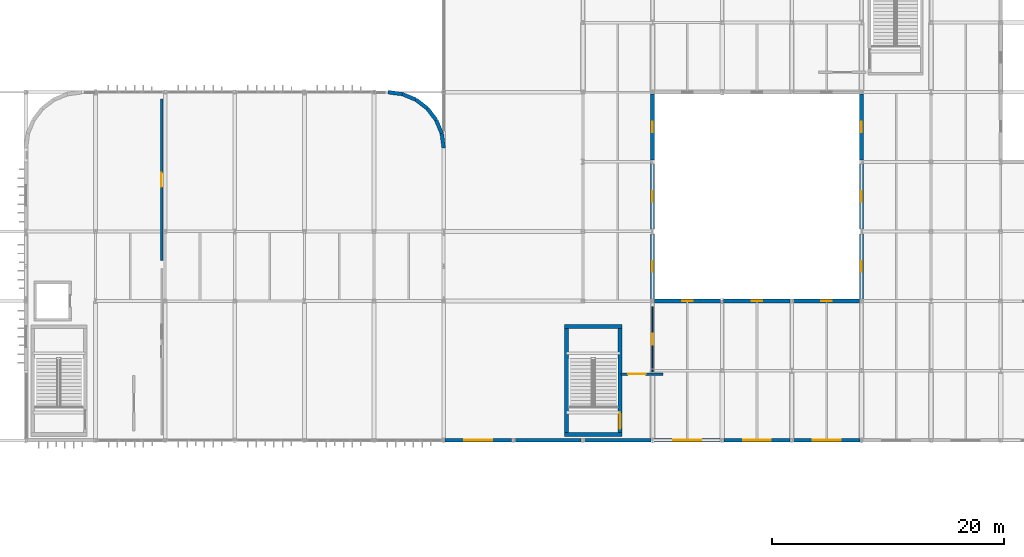
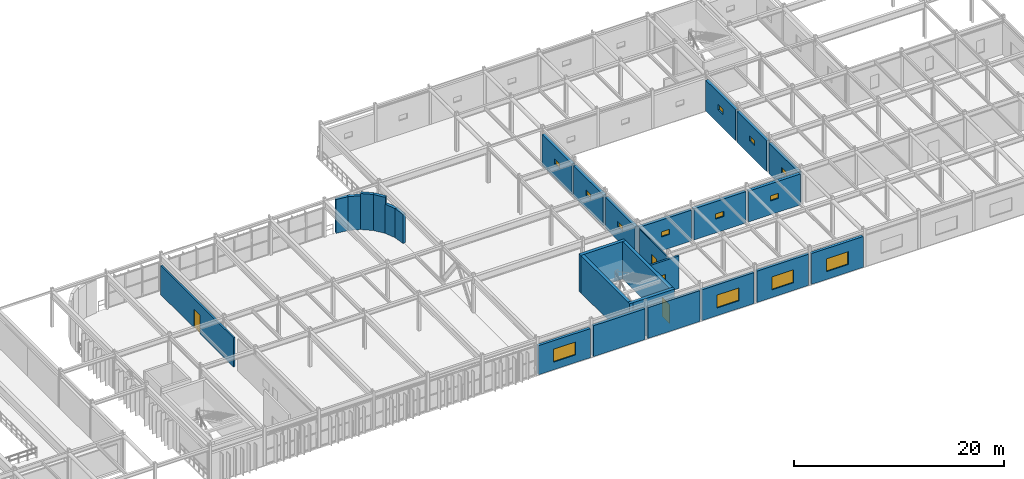
# One storey, part 68 of 96: 28 walls, 13 windows, 4 doors, 17 openings.
"""IFC4 building model written with IfcOpenShell, lengths in metres."""

from ifc_helpers import new_model, si_unit, direction, frame, frame_2d, origin, place, context, subcontext, project, spatial, rectangle, extrude, material, layer, layer_set, type_object, element, fill, save


model = new_model("IFC4")

# Units and contexts
model_context = context("Model", 3, precision=1e-05, world=origin(), true_north=direction((0.0, 1.0)))
body_context = subcontext(model_context, "Body", "Model", "MODEL_VIEW")
ifc_project = project(units=[si_unit("LENGTHUNIT", "METRE"), si_unit("AREAUNIT", "SQUARE_METRE"), si_unit("VOLUMEUNIT", "CUBIC_METRE"), si_unit("PLANEANGLEUNIT", "RADIAN"), si_unit("MASSUNIT", "GRAM", prefix="KILO")], contexts=[model_context])

# Site, building, storey
site_placement = place(None, origin())
site = spatial("IfcSite", under=ifc_project, at=site_placement, CompositionType="ELEMENT")
building_placement = place(site_placement, origin())
building = spatial("IfcBuilding", under=site, at=building_placement, Name="Varnakota Square Police Headquarters", CompositionType="ELEMENT")
storey_placement = place(building_placement, frame((0.0, 0.0, 4.800048828125)))
storey = spatial("IfcBuildingStorey", under=building, at=storey_placement, Name="L01", CompositionType="ELEMENT", Elevation=4.800048828125)

# Wall
ifc_material_1 = material(Name="Concrete M50", Category="concrete")
ifc_layer_1 = layer(ifc_material_1, 0.35009765625, Name="Concrete M50")
ifc_layer_set_1 = layer_set([ifc_layer_1], Name="Concrete M50")
wall_type_1 = type_object("IfcWallType", Name="WL-CORE-350", PredefinedType="SHEAR", material=ifc_layer_set_1)
wall_1_placement = place(storey_placement, frame((106.425048828125, 69.5, 0.0), z_axis=(0.0, 0.0, 1.0), x_axis=(1.0, 0.0, 0.0)))
element("IfcWall", 1, at=wall_1_placement, inside=storey, type_object=wall_type_1, Name="Core C9 shear wall L01 S", PredefinedType="SHEAR", context=body_context, shape_type="SweptSolid", body=[
    extrude(rectangle(XDim=4.949951171875, YDim=0.35009765625, at=frame_2d((2.47509765625, 0.0))), origin(), (0.0, 0.0, 1.0), 4.35986328125),
])

# Wall, opening, door
wall_2_placement = place(storey_placement, frame((111.199951171875, 69.324951171875, 0.0), z_axis=(0.0, 0.0, 1.0), x_axis=(0.0, 1.0, 0.0)))
wall_2 = element("IfcWall", 2, at=wall_2_placement, inside=storey, type_object=wall_type_1, Name="Core C9 shear wall L01 E", PredefinedType="SHEAR", context=body_context, shape_type="SweptSolid", body=[
    extrude(rectangle(XDim=9.650146484375, YDim=0.35009765625, at=frame_2d((4.8251953125, 0.0))), origin(), (0.0, 0.0, 1.0), 4.35986328125),
])
opening_1_placement = place(wall_2_placement, frame((0.655029296875, 0.0, 0.0)))
opening_1 = element("IfcOpeningElement", 3, at=opening_1_placement, cuts=wall_2, Name="Opening SD124", PredefinedType="OPENING", context=body_context, shape_type="SweptSolid", body=[
    extrude(rectangle(XDim=1.39990234375, YDim=2.199951171875, at=frame_2d((0.699951171875, 1.10009765625))), frame((0.0, 0.18505859375, 0.0), z_axis=(0.0, -1.0, 0.0), x_axis=(1.0, 0.0, 0.0)), (0.0, 0.0, 1.0), 0.3701171875),
])
ifc_material_2 = material(Name="Powder-Coated Galvanised Steel", Category="steel")
door_type_1 = type_object("IfcDoorType", Name="DR-ST-140", OperationType="NOTDEFINED", PredefinedType="DOOR", material=ifc_material_2)
door_1_placement = place(opening_1_placement, origin())
door_1 = element("IfcDoor", 4, at=door_1_placement, inside=storey, type_object=door_type_1, Name="Protected stair door SD124", OperationType="DOUBLE_DOOR_SINGLE_SWING", OverallHeight=2.199951171875, OverallWidth=1.39990234375, PredefinedType="DOOR", context=body_context, shape_type="SweptSolid", body=[
    extrude(rectangle(XDim=1.39990234375, YDim=2.199951171875, at=frame_2d((0.699951171875, 1.10009765625))), frame((0.0, 0.02490234375, 0.0), z_axis=(0.0, -1.0, 0.0), x_axis=(1.0, 0.0, 0.0)), (0.0, 0.0, 1.0), 0.050048828125),
])
fill(opening_1, door_1)

# Walls
wall_3_placement = place(storey_placement, frame((111.375, 78.800048828125, 0.0), z_axis=(0.0, 0.0, 1.0), x_axis=(-1.0, 0.0, 0.0)))
element("IfcWall", 5, at=wall_3_placement, inside=storey, type_object=wall_type_1, Name="Core C9 shear wall L01 N", PredefinedType="SHEAR", context=body_context, shape_type="SweptSolid", body=[
    extrude(rectangle(XDim=4.949951171875, YDim=0.35009765625, at=frame_2d((2.47509765625, 0.0))), origin(), (0.0, 0.0, 1.0), 4.35986328125),
])
wall_4_placement = place(storey_placement, frame((106.60009765625, 78.97509765625, 0.0), z_axis=(0.0, 0.0, 1.0), x_axis=(0.0, -1.0, 0.0)))
element("IfcWall", 6, at=wall_4_placement, inside=storey, type_object=wall_type_1, Name="Core C9 shear wall L01 W", PredefinedType="SHEAR", context=body_context, shape_type="SweptSolid", body=[
    extrude(rectangle(XDim=9.650146484375, YDim=0.35009765625, at=frame_2d((4.8251953125, 0.0))), origin(), (0.0, 0.0, 1.0), 4.35986328125),
])

# Wall, opening, window
ifc_material_3 = material(Name="Precast concrete M40", Category="concrete")
ifc_layer_2 = layer(ifc_material_3, 0.300048828125, Name="Precast concrete M40")
ifc_layer_set_2 = layer_set([ifc_layer_2], Name="Precast concrete M40")
wall_type_2 = type_object("IfcWallType", Name="WL-EXT-300", PredefinedType="SOLIDWALL", material=ifc_layer_set_2)
wall_5_placement = place(storey_placement, frame((96.12890625, 69.0, 0.0), z_axis=(0.0, 0.0, 1.0), x_axis=(1.0, 0.0, 0.0)))
wall_5 = element("IfcWall", 7, at=wall_5_placement, inside=storey, type_object=wall_type_2, Name="Exterior wall EW-L01-0698", PredefinedType="SOLIDWALL", context=body_context, shape_type="SweptSolid", body=[
    extrude(rectangle(XDim=5.717041015625, YDim=0.300048828125, at=frame_2d((2.8583984375, 0.0))), origin(), (0.0, 0.0, 1.0), 3.389892578125),
])
opening_2_placement = place(wall_5_placement, frame((1.658447265625, 0.0, 0.89990234375)))
opening_2 = element("IfcOpeningElement", 8, at=opening_2_placement, cuts=wall_5, Name="Opening W02", PredefinedType="OPENING", context=body_context, shape_type="SweptSolid", body=[
    extrude(rectangle(XDim=2.39990234375, YDim=1.5, at=frame_2d((1.199951171875, 0.75))), frame((0.0, 0.159912109375, 0.0), z_axis=(0.0, -1.0, 0.0), x_axis=(1.0, 0.0, 0.0)), (0.0, 0.0, 1.0), 0.320068359375),
])
ifc_material_4 = material(Name="Thermally Broken Aluminium Double-Glazed Window", Category="aluminium")
window_type_1 = type_object("IfcWindowType", Name="WIN-02", PartitioningType="SINGLE_PANEL", PredefinedType="WINDOW", material=ifc_material_4)
window_1_placement = place(opening_2_placement, origin())
window_1 = element("IfcWindow", 9, at=window_1_placement, inside=storey, type_object=window_type_1, Name="Window WN-L01-0203", OverallHeight=1.5, OverallWidth=2.39990234375, PartitioningType="SINGLE_PANEL", PredefinedType="WINDOW", context=body_context, shape_type="SweptSolid", body=[
    extrude(rectangle(XDim=2.39990234375, YDim=1.5, at=frame_2d((1.199951171875, 0.75))), frame((0.0, 0.030029296875, 0.0), z_axis=(0.0, -1.0, 0.0), x_axis=(1.0, 0.0, 0.0)), (0.0, 0.0, 1.0), 0.06005859375),
])
fill(opening_2, window_1)

# Walls
wall_6_placement = place(storey_placement, frame((102.154052734375, 69.0, 0.0), z_axis=(0.0, 0.0, 1.0), x_axis=(1.0, 0.0, 0.0)))
element("IfcWall", 10, at=wall_6_placement, inside=storey, type_object=wall_type_2, Name="Exterior wall EW-L01-0699", PredefinedType="SOLIDWALL", context=body_context, shape_type="SweptSolid", body=[
    extrude(rectangle(XDim=5.69189453125, YDim=0.300048828125, at=frame_2d((2.845947265625, 0.0))), origin(), (0.0, 0.0, 1.0), 3.58984375),
])
wall_7_placement = place(storey_placement, frame((108.154052734375, 69.0, 0.0), z_axis=(0.0, 0.0, 1.0), x_axis=(1.0, 0.0, 0.0)))
element("IfcWall", 11, at=wall_7_placement, inside=storey, type_object=wall_type_2, Name="Exterior wall EW-L01-0700", PredefinedType="SOLIDWALL", context=body_context, shape_type="SweptSolid", body=[
    extrude(rectangle(XDim=5.717041015625, YDim=0.300048828125, at=frame_2d((2.8583984375, 0.0))), origin(), (0.0, 0.0, 1.0), 3.58984375),
])

# Wall, opening, window
wall_8_placement = place(storey_placement, frame((114.12890625, 69.0, 0.0), z_axis=(0.0, 0.0, 1.0), x_axis=(1.0, 0.0, 0.0)))
wall_8 = element("IfcWall", 12, at=wall_8_placement, inside=storey, type_object=wall_type_2, Name="Exterior wall EW-L01-0701", PredefinedType="SOLIDWALL", context=body_context, shape_type="SweptSolid", body=[
    extrude(rectangle(XDim=5.717041015625, YDim=0.300048828125, at=frame_2d((2.8583984375, 0.0))), origin(), (0.0, 0.0, 1.0), 3.58984375),
])
opening_3_placement = place(wall_8_placement, frame((1.658447265625, 0.0, 0.89990234375)))
opening_3 = element("IfcOpeningElement", 13, at=opening_3_placement, cuts=wall_8, Name="Opening W02", PredefinedType="OPENING", context=body_context, shape_type="SweptSolid", body=[
    extrude(rectangle(XDim=2.39990234375, YDim=1.5, at=frame_2d((1.199951171875, 0.75))), frame((0.0, 0.159912109375, 0.0), z_axis=(0.0, -1.0, 0.0), x_axis=(1.0, 0.0, 0.0)), (0.0, 0.0, 1.0), 0.320068359375),
])
window_2_placement = place(opening_3_placement, origin())
window_2 = element("IfcWindow", 14, at=window_2_placement, inside=storey, type_object=window_type_1, Name="Window WN-L01-0204", OverallHeight=1.5, OverallWidth=2.39990234375, PartitioningType="SINGLE_PANEL", PredefinedType="WINDOW", context=body_context, shape_type="SweptSolid", body=[
    extrude(rectangle(XDim=2.39990234375, YDim=1.5, at=frame_2d((1.199951171875, 0.75))), frame((0.0, 0.030029296875, 0.0), z_axis=(0.0, -1.0, 0.0), x_axis=(1.0, 0.0, 0.0)), (0.0, 0.0, 1.0), 0.06005859375),
])
fill(opening_3, window_2)

wall_9_placement = place(storey_placement, frame((120.154052734375, 69.0, 0.0), z_axis=(0.0, 0.0, 1.0), x_axis=(1.0, 0.0, 0.0)))
wall_9 = element("IfcWall", 15, at=wall_9_placement, inside=storey, type_object=wall_type_2, Name="Exterior wall EW-L01-0702", PredefinedType="SOLIDWALL", context=body_context, shape_type="SweptSolid", body=[
    extrude(rectangle(XDim=5.69189453125, YDim=0.300048828125, at=frame_2d((2.845947265625, 0.0))), origin(), (0.0, 0.0, 1.0), 3.639892578125),
])
opening_4_placement = place(wall_9_placement, frame((1.64599609375, 0.0, 0.89990234375)))
opening_4 = element("IfcOpeningElement", 16, at=opening_4_placement, cuts=wall_9, Name="Opening W02", PredefinedType="OPENING", context=body_context, shape_type="SweptSolid", body=[
    extrude(rectangle(XDim=2.39990234375, YDim=1.5, at=frame_2d((1.199951171875, 0.75))), frame((0.0, 0.159912109375, 0.0), z_axis=(0.0, -1.0, 0.0), x_axis=(1.0, 0.0, 0.0)), (0.0, 0.0, 1.0), 0.320068359375),
])
window_3_placement = place(opening_4_placement, origin())
window_3 = element("IfcWindow", 17, at=window_3_placement, inside=storey, type_object=window_type_1, Name="Window WN-L01-0205", OverallHeight=1.5, OverallWidth=2.39990234375, PartitioningType="SINGLE_PANEL", PredefinedType="WINDOW", context=body_context, shape_type="SweptSolid", body=[
    extrude(rectangle(XDim=2.39990234375, YDim=1.5, at=frame_2d((1.199951171875, 0.75))), frame((0.0, 0.030029296875, 0.0), z_axis=(0.0, -1.0, 0.0), x_axis=(1.0, 0.0, 0.0)), (0.0, 0.0, 1.0), 0.06005859375),
])
fill(opening_4, window_3)

wall_10_placement = place(storey_placement, frame((126.154052734375, 69.0, 0.0), z_axis=(0.0, 0.0, 1.0), x_axis=(1.0, 0.0, 0.0)))
wall_10 = element("IfcWall", 18, at=wall_10_placement, inside=storey, type_object=wall_type_2, Name="Exterior wall EW-L01-0703", PredefinedType="SOLIDWALL", context=body_context, shape_type="SweptSolid", body=[
    extrude(rectangle(XDim=5.717041015625, YDim=0.300048828125, at=frame_2d((2.8583984375, 0.0))), origin(), (0.0, 0.0, 1.0), 3.58984375),
])
opening_5_placement = place(wall_10_placement, frame((1.658447265625, 0.0, 0.89990234375)))
opening_5 = element("IfcOpeningElement", 19, at=opening_5_placement, cuts=wall_10, Name="Opening W02", PredefinedType="OPENING", context=body_context, shape_type="SweptSolid", body=[
    extrude(rectangle(XDim=2.39990234375, YDim=1.5, at=frame_2d((1.199951171875, 0.75))), frame((0.0, 0.159912109375, 0.0), z_axis=(0.0, -1.0, 0.0), x_axis=(1.0, 0.0, 0.0)), (0.0, 0.0, 1.0), 0.320068359375),
])
window_4_placement = place(opening_5_placement, origin())
window_4 = element("IfcWindow", 20, at=window_4_placement, inside=storey, type_object=window_type_1, Name="Window WN-L01-0206", OverallHeight=1.5, OverallWidth=2.39990234375, PartitioningType="SINGLE_PANEL", PredefinedType="WINDOW", context=body_context, shape_type="SweptSolid", body=[
    extrude(rectangle(XDim=2.39990234375, YDim=1.5, at=frame_2d((1.199951171875, 0.75))), frame((0.0, 0.030029296875, 0.0), z_axis=(0.0, -1.0, 0.0), x_axis=(1.0, 0.0, 0.0)), (0.0, 0.0, 1.0), 0.06005859375),
])
fill(opening_5, window_4)

# Walls
ifc_layer_3 = layer(ifc_material_3, 0.320068359375, Name="Precast concrete M40")
ifc_layer_set_3 = layer_set([ifc_layer_3], Name="Precast concrete M40")
wall_type_3 = type_object("IfcWallType", Name="WL-EXT-320", PredefinedType="SOLIDWALL", material=ifc_layer_set_3)
for number, where, z_axis, x_axis, name in (
    (21, (96.0, 94.199951171875, 0.0), (0.0, 0.0, 1.0), (-0.130530106475, 0.991444346045, 0.0), "Exterior wall EW-L01-0498"),
    (22, (95.83642578125, 95.4423828125, 0.0), (0.0, 0.0, 1.0), (-0.382650053678, 0.92389335771, 0.0), "Exterior wall EW-L01-0499"),
):
    element("IfcWall", number, at=place(storey_placement, frame(where, z_axis=z_axis, x_axis=x_axis)), inside=storey, type_object=wall_type_3, Name=name, PredefinedType="SOLIDWALL", context=body_context, shape_type="SweptSolid", body=[
        extrude(rectangle(XDim=1.253173828125, YDim=0.320068359375, at=frame_2d((0.62646484375, 0.0))), origin(), (0.0, 0.0, 1.0), 3.389892578125),
    ])
for number, where, z_axis, x_axis, name in (
    (23, (95.35693359375, 96.60009765625, 0.0), (0.0, 0.0, 1.0), (-0.60891003886, 0.793239285824, 0.0), "Exterior wall EW-L01-0500"),
    (24, (94.593994140625, 97.593994140625, 0.0), (0.0, 0.0, 1.0), (-0.793239285824, 0.60891003886, 0.0), "Exterior wall EW-L01-0501"),
):
    element("IfcWall", number, at=place(storey_placement, frame(where, z_axis=z_axis, x_axis=x_axis)), inside=storey, type_object=wall_type_3, Name=name, PredefinedType="SOLIDWALL", context=body_context, shape_type="SweptSolid", body=[
        extrude(rectangle(XDim=1.2529296875, YDim=0.320068359375, at=frame_2d((0.62646484375, 0.0))), origin(), (0.0, 0.0, 1.0), 4.195068359375),
    ])
for number, where, z_axis, x_axis, name in (
    (25, (93.60009765625, 98.35693359375, 0.0), (0.0, 0.0, 1.0), (-0.92389335771, 0.382650053678, 0.0), "Exterior wall EW-L01-0502"),
    (26, (92.4423828125, 98.83642578125, 0.0), (0.0, 0.0, 1.0), (-0.991444346045, 0.130530106475, 0.0), "Exterior wall EW-L01-0503"),
):
    element("IfcWall", number, at=place(storey_placement, frame(where, z_axis=z_axis, x_axis=x_axis)), inside=storey, type_object=wall_type_3, Name=name, PredefinedType="SOLIDWALL", context=body_context, shape_type="SweptSolid", body=[
        extrude(rectangle(XDim=1.253173828125, YDim=0.320068359375, at=frame_2d((0.62646484375, 0.0))), origin(), (0.0, 0.0, 1.0), 3.93994140625),
    ])

# Wall, opening, window
ifc_material_5 = material(Name="Concrete M40", Category="concrete")
ifc_layer_4 = layer(ifc_material_5, 0.340087890625, Name="Concrete M40")
ifc_layer_set_4 = layer_set([ifc_layer_4], Name="Concrete M40")
wall_type_4 = type_object("IfcWallType", Name="WL-EXT-340", PredefinedType="SOLIDWALL", material=ifc_layer_set_4)
wall_11_placement = place(storey_placement, frame((114.154052734375, 81.0, 0.0), z_axis=(0.0, 0.0, 1.0), x_axis=(1.0, 0.0, 0.0)))
wall_11 = element("IfcWall", 27, at=wall_11_placement, inside=storey, type_object=wall_type_4, Name="Exterior wall EW-L01-0713", PredefinedType="SOLIDWALL", context=body_context, shape_type="SweptSolid", body=[
    extrude(rectangle(XDim=5.717041015625, YDim=0.340087890625, at=frame_2d((2.8583984375, 0.0))), origin(), (0.0, 0.0, 1.0), 3.58984375),
])
opening_6_placement = place(wall_11_placement, frame((2.408447265625, 0.0, 1.60009765625)))
opening_6 = element("IfcOpeningElement", 28, at=opening_6_placement, cuts=wall_11, Name="Opening W13", PredefinedType="OPENING", context=body_context, shape_type="SweptSolid", body=[
    extrude(rectangle(XDim=0.89990234375, YDim=0.60009765625, at=frame_2d((0.449951171875, 0.300048828125))), frame((0.0, 0.179931640625, 0.0), z_axis=(0.0, -1.0, 0.0), x_axis=(1.0, 0.0, 0.0)), (0.0, 0.0, 1.0), 0.360107421875),
])
window_type_2 = type_object("IfcWindowType", Name="WIN-13", PartitioningType="SINGLE_PANEL", PredefinedType="WINDOW", material=ifc_material_4)
window_5_placement = place(opening_6_placement, origin())
window_5 = element("IfcWindow", 29, at=window_5_placement, inside=storey, type_object=window_type_2, Name="Window WN-L01-0216", OverallHeight=0.60009765625, OverallWidth=0.89990234375, PartitioningType="SINGLE_PANEL", PredefinedType="WINDOW", context=body_context, shape_type="SweptSolid", body=[
    extrude(rectangle(XDim=0.89990234375, YDim=0.60009765625, at=frame_2d((0.449951171875, 0.300048828125))), frame((0.0, 0.030029296875, 0.0), z_axis=(0.0, -1.0, 0.0), x_axis=(1.0, 0.0, 0.0)), (0.0, 0.0, 1.0), 0.06005859375),
])
fill(opening_6, window_5)

wall_12_placement = place(storey_placement, frame((120.12890625, 81.0, 0.0), z_axis=(0.0, 0.0, 1.0), x_axis=(1.0, 0.0, 0.0)))
wall_12 = element("IfcWall", 30, at=wall_12_placement, inside=storey, type_object=wall_type_4, Name="Exterior wall EW-L01-0715", PredefinedType="SOLIDWALL", context=body_context, shape_type="SweptSolid", body=[
    extrude(rectangle(XDim=5.717041015625, YDim=0.340087890625, at=frame_2d((2.8583984375, 0.0))), origin(), (0.0, 0.0, 1.0), 3.639892578125),
])
opening_7_placement = place(wall_12_placement, frame((2.408447265625, 0.0, 1.60009765625)))
opening_7 = element("IfcOpeningElement", 31, at=opening_7_placement, cuts=wall_12, Name="Opening W13", PredefinedType="OPENING", context=body_context, shape_type="SweptSolid", body=[
    extrude(rectangle(XDim=0.89990234375, YDim=0.60009765625, at=frame_2d((0.449951171875, 0.300048828125))), frame((0.0, 0.179931640625, 0.0), z_axis=(0.0, -1.0, 0.0), x_axis=(1.0, 0.0, 0.0)), (0.0, 0.0, 1.0), 0.360107421875),
])
window_6_placement = place(opening_7_placement, origin())
window_6 = element("IfcWindow", 32, at=window_6_placement, inside=storey, type_object=window_type_2, Name="Window WN-L01-0218", OverallHeight=0.60009765625, OverallWidth=0.89990234375, PartitioningType="SINGLE_PANEL", PredefinedType="WINDOW", context=body_context, shape_type="SweptSolid", body=[
    extrude(rectangle(XDim=0.89990234375, YDim=0.60009765625, at=frame_2d((0.449951171875, 0.300048828125))), frame((0.0, 0.030029296875, 0.0), z_axis=(0.0, -1.0, 0.0), x_axis=(1.0, 0.0, 0.0)), (0.0, 0.0, 1.0), 0.06005859375),
])
fill(opening_7, window_6)

wall_13_placement = place(storey_placement, frame((126.154052734375, 81.0, 0.0), z_axis=(0.0, 0.0, 1.0), x_axis=(1.0, 0.0, 0.0)))
wall_13 = element("IfcWall", 33, at=wall_13_placement, inside=storey, type_object=wall_type_4, Name="Exterior wall EW-L01-0717", PredefinedType="SOLIDWALL", context=body_context, shape_type="SweptSolid", body=[
    extrude(rectangle(XDim=5.69189453125, YDim=0.340087890625, at=frame_2d((2.845947265625, 0.0))), origin(), (0.0, 0.0, 1.0), 3.58984375),
])
opening_8_placement = place(wall_13_placement, frame((2.39599609375, 0.0, 1.60009765625)))
opening_8 = element("IfcOpeningElement", 34, at=opening_8_placement, cuts=wall_13, Name="Opening W13", PredefinedType="OPENING", context=body_context, shape_type="SweptSolid", body=[
    extrude(rectangle(XDim=0.89990234375, YDim=0.60009765625, at=frame_2d((0.449951171875, 0.300048828125))), frame((0.0, 0.179931640625, 0.0), z_axis=(0.0, -1.0, 0.0), x_axis=(1.0, 0.0, 0.0)), (0.0, 0.0, 1.0), 0.360107421875),
])
window_7_placement = place(opening_8_placement, origin())
window_7 = element("IfcWindow", 35, at=window_7_placement, inside=storey, type_object=window_type_2, Name="Window WN-L01-0220", OverallHeight=0.60009765625, OverallWidth=0.89990234375, PartitioningType="SINGLE_PANEL", PredefinedType="WINDOW", context=body_context, shape_type="SweptSolid", body=[
    extrude(rectangle(XDim=0.89990234375, YDim=0.60009765625, at=frame_2d((0.449951171875, 0.300048828125))), frame((0.0, 0.030029296875, 0.0), z_axis=(0.0, -1.0, 0.0), x_axis=(1.0, 0.0, 0.0)), (0.0, 0.0, 1.0), 0.06005859375),
])
fill(opening_8, window_7)

wall_14_placement = place(storey_placement, frame((114.0, 81.154052734375, 0.0), z_axis=(0.0, 0.0, 1.0), x_axis=(0.0, 1.0, 0.0)))
wall_14 = element("IfcWall", 36, at=wall_14_placement, inside=storey, type_object=wall_type_4, Name="Exterior wall EW-L01-0719", PredefinedType="SOLIDWALL", context=body_context, shape_type="SweptSolid", body=[
    extrude(rectangle(XDim=5.641845703125, YDim=0.340087890625, at=frame_2d((2.82080078125, 0.0))), origin(), (0.0, 0.0, 1.0), 3.58984375),
])
opening_9_placement = place(wall_14_placement, frame((2.37109375, 0.0, 1.60009765625)))
opening_9 = element("IfcOpeningElement", 37, at=opening_9_placement, cuts=wall_14, Name="Opening W13", PredefinedType="OPENING", context=body_context, shape_type="SweptSolid", body=[
    extrude(rectangle(XDim=0.89990234375, YDim=0.60009765625, at=frame_2d((0.449951171875, 0.300048828125))), frame((0.0, 0.179931640625, 0.0), z_axis=(0.0, -1.0, 0.0), x_axis=(1.0, 0.0, 0.0)), (0.0, 0.0, 1.0), 0.360107421875),
])
window_8_placement = place(opening_9_placement, origin())
window_8 = element("IfcWindow", 38, at=window_8_placement, inside=storey, type_object=window_type_2, Name="Window WN-L01-0222", OverallHeight=0.60009765625, OverallWidth=0.89990234375, PartitioningType="SINGLE_PANEL", PredefinedType="WINDOW", context=body_context, shape_type="SweptSolid", body=[
    extrude(rectangle(XDim=0.89990234375, YDim=0.60009765625, at=frame_2d((0.449951171875, 0.300048828125))), frame((0.0, 0.030029296875, 0.0), z_axis=(0.0, -1.0, 0.0), x_axis=(1.0, 0.0, 0.0)), (0.0, 0.0, 1.0), 0.06005859375),
])
fill(opening_9, window_8)

wall_15_placement = place(storey_placement, frame((132.0, 81.154052734375, 0.0), z_axis=(0.0, 0.0, 1.0), x_axis=(0.0, 1.0, 0.0)))
wall_15 = element("IfcWall", 39, at=wall_15_placement, inside=storey, type_object=wall_type_4, Name="Exterior wall EW-L01-0720", PredefinedType="SOLIDWALL", context=body_context, shape_type="SweptSolid", body=[
    extrude(rectangle(XDim=5.641845703125, YDim=0.340087890625, at=frame_2d((2.82080078125, 0.0))), origin(), (0.0, 0.0, 1.0), 3.58984375),
])
opening_10_placement = place(wall_15_placement, frame((2.37109375, 0.0, 1.60009765625)))
opening_10 = element("IfcOpeningElement", 40, at=opening_10_placement, cuts=wall_15, Name="Opening W13", PredefinedType="OPENING", context=body_context, shape_type="SweptSolid", body=[
    extrude(rectangle(XDim=0.89990234375, YDim=0.60009765625, at=frame_2d((0.449951171875, 0.300048828125))), frame((0.0, 0.179931640625, 0.0), z_axis=(0.0, -1.0, 0.0), x_axis=(1.0, 0.0, 0.0)), (0.0, 0.0, 1.0), 0.360107421875),
])
window_9_placement = place(opening_10_placement, origin())
window_9 = element("IfcWindow", 41, at=window_9_placement, inside=storey, type_object=window_type_2, Name="Window WN-L01-0223", OverallHeight=0.60009765625, OverallWidth=0.89990234375, PartitioningType="SINGLE_PANEL", PredefinedType="WINDOW", context=body_context, shape_type="SweptSolid", body=[
    extrude(rectangle(XDim=0.89990234375, YDim=0.60009765625, at=frame_2d((0.449951171875, 0.300048828125))), frame((0.0, 0.030029296875, 0.0), z_axis=(0.0, -1.0, 0.0), x_axis=(1.0, 0.0, 0.0)), (0.0, 0.0, 1.0), 0.06005859375),
])
fill(opening_10, window_9)

wall_16_placement = place(storey_placement, frame((114.0, 87.2041015625, 0.0), z_axis=(0.0, 0.0, 1.0), x_axis=(0.0, 1.0, 0.0)))
wall_16 = element("IfcWall", 42, at=wall_16_placement, inside=storey, type_object=wall_type_4, Name="Exterior wall EW-L01-0721", PredefinedType="SOLIDWALL", context=body_context, shape_type="SweptSolid", body=[
    extrude(rectangle(XDim=5.641845703125, YDim=0.340087890625, at=frame_2d((2.82080078125, 0.0))), origin(), (0.0, 0.0, 1.0), 3.58984375),
])
opening_11_placement = place(wall_16_placement, frame((2.37109375, 0.0, 1.60009765625)))
opening_11 = element("IfcOpeningElement", 43, at=opening_11_placement, cuts=wall_16, Name="Opening W13", PredefinedType="OPENING", context=body_context, shape_type="SweptSolid", body=[
    extrude(rectangle(XDim=0.89990234375, YDim=0.60009765625, at=frame_2d((0.449951171875, 0.300048828125))), frame((0.0, 0.179931640625, 0.0), z_axis=(0.0, -1.0, 0.0), x_axis=(1.0, 0.0, 0.0)), (0.0, 0.0, 1.0), 0.360107421875),
])
window_10_placement = place(opening_11_placement, origin())
window_10 = element("IfcWindow", 44, at=window_10_placement, inside=storey, type_object=window_type_2, Name="Window WN-L01-0224", OverallHeight=0.60009765625, OverallWidth=0.89990234375, PartitioningType="SINGLE_PANEL", PredefinedType="WINDOW", context=body_context, shape_type="SweptSolid", body=[
    extrude(rectangle(XDim=0.89990234375, YDim=0.60009765625, at=frame_2d((0.449951171875, 0.300048828125))), frame((0.0, 0.030029296875, 0.0), z_axis=(0.0, -1.0, 0.0), x_axis=(1.0, 0.0, 0.0)), (0.0, 0.0, 1.0), 0.06005859375),
])
fill(opening_11, window_10)

wall_17_placement = place(storey_placement, frame((132.0, 87.2041015625, 0.0), z_axis=(0.0, 0.0, 1.0), x_axis=(0.0, 1.0, 0.0)))
wall_17 = element("IfcWall", 45, at=wall_17_placement, inside=storey, type_object=wall_type_4, Name="Exterior wall EW-L01-0722", PredefinedType="SOLIDWALL", context=body_context, shape_type="SweptSolid", body=[
    extrude(rectangle(XDim=5.641845703125, YDim=0.340087890625, at=frame_2d((2.82080078125, 0.0))), origin(), (0.0, 0.0, 1.0), 3.58984375),
])
opening_12_placement = place(wall_17_placement, frame((2.37109375, 0.0, 1.60009765625)))
opening_12 = element("IfcOpeningElement", 46, at=opening_12_placement, cuts=wall_17, Name="Opening W13", PredefinedType="OPENING", context=body_context, shape_type="SweptSolid", body=[
    extrude(rectangle(XDim=0.89990234375, YDim=0.60009765625, at=frame_2d((0.449951171875, 0.300048828125))), frame((0.0, 0.179931640625, 0.0), z_axis=(0.0, -1.0, 0.0), x_axis=(1.0, 0.0, 0.0)), (0.0, 0.0, 1.0), 0.360107421875),
])
window_11_placement = place(opening_12_placement, origin())
window_11 = element("IfcWindow", 47, at=window_11_placement, inside=storey, type_object=window_type_2, Name="Window WN-L01-0225", OverallHeight=0.60009765625, OverallWidth=0.89990234375, PartitioningType="SINGLE_PANEL", PredefinedType="WINDOW", context=body_context, shape_type="SweptSolid", body=[
    extrude(rectangle(XDim=0.89990234375, YDim=0.60009765625, at=frame_2d((0.449951171875, 0.300048828125))), frame((0.0, 0.030029296875, 0.0), z_axis=(0.0, -1.0, 0.0), x_axis=(1.0, 0.0, 0.0)), (0.0, 0.0, 1.0), 0.06005859375),
])
fill(opening_12, window_11)

wall_18_placement = place(storey_placement, frame((114.0, 93.154052734375, 0.0), z_axis=(0.0, 0.0, 1.0), x_axis=(0.0, 1.0, 0.0)))
wall_18 = element("IfcWall", 48, at=wall_18_placement, inside=storey, type_object=wall_type_4, Name="Exterior wall EW-L01-0723", PredefinedType="SOLIDWALL", context=body_context, shape_type="SweptSolid", body=[
    extrude(rectangle(XDim=5.69189453125, YDim=0.340087890625, at=frame_2d((2.845947265625, 0.0))), origin(), (0.0, 0.0, 1.0), 3.58984375),
])
opening_13_placement = place(wall_18_placement, frame((2.39599609375, 0.0, 1.60009765625)))
opening_13 = element("IfcOpeningElement", 49, at=opening_13_placement, cuts=wall_18, Name="Opening W13", PredefinedType="OPENING", context=body_context, shape_type="SweptSolid", body=[
    extrude(rectangle(XDim=0.89990234375, YDim=0.60009765625, at=frame_2d((0.449951171875, 0.300048828125))), frame((0.0, 0.179931640625, 0.0), z_axis=(0.0, -1.0, 0.0), x_axis=(1.0, 0.0, 0.0)), (0.0, 0.0, 1.0), 0.360107421875),
])
window_12_placement = place(opening_13_placement, origin())
window_12 = element("IfcWindow", 50, at=window_12_placement, inside=storey, type_object=window_type_2, Name="Window WN-L01-0226", OverallHeight=0.60009765625, OverallWidth=0.89990234375, PartitioningType="SINGLE_PANEL", PredefinedType="WINDOW", context=body_context, shape_type="SweptSolid", body=[
    extrude(rectangle(XDim=0.89990234375, YDim=0.60009765625, at=frame_2d((0.449951171875, 0.300048828125))), frame((0.0, 0.030029296875, 0.0), z_axis=(0.0, -1.0, 0.0), x_axis=(1.0, 0.0, 0.0)), (0.0, 0.0, 1.0), 0.06005859375),
])
fill(opening_13, window_12)

wall_19_placement = place(storey_placement, frame((132.0, 93.154052734375, 0.0), z_axis=(0.0, 0.0, 1.0), x_axis=(0.0, 1.0, 0.0)))
wall_19 = element("IfcWall", 51, at=wall_19_placement, inside=storey, type_object=wall_type_4, Name="Exterior wall EW-L01-0724", PredefinedType="SOLIDWALL", context=body_context, shape_type="SweptSolid", body=[
    extrude(rectangle(XDim=5.69189453125, YDim=0.340087890625, at=frame_2d((2.845947265625, 0.0))), origin(), (0.0, 0.0, 1.0), 3.58984375),
])
opening_14_placement = place(wall_19_placement, frame((2.39599609375, 0.0, 1.60009765625)))
opening_14 = element("IfcOpeningElement", 52, at=opening_14_placement, cuts=wall_19, Name="Opening W13", PredefinedType="OPENING", context=body_context, shape_type="SweptSolid", body=[
    extrude(rectangle(XDim=0.89990234375, YDim=0.60009765625, at=frame_2d((0.449951171875, 0.300048828125))), frame((0.0, 0.179931640625, 0.0), z_axis=(0.0, -1.0, 0.0), x_axis=(1.0, 0.0, 0.0)), (0.0, 0.0, 1.0), 0.360107421875),
])
window_13_placement = place(opening_14_placement, origin())
window_13 = element("IfcWindow", 53, at=window_13_placement, inside=storey, type_object=window_type_2, Name="Window WN-L01-0227", OverallHeight=0.60009765625, OverallWidth=0.89990234375, PartitioningType="SINGLE_PANEL", PredefinedType="WINDOW", context=body_context, shape_type="SweptSolid", body=[
    extrude(rectangle(XDim=0.89990234375, YDim=0.60009765625, at=frame_2d((0.449951171875, 0.300048828125))), frame((0.0, 0.030029296875, 0.0), z_axis=(0.0, -1.0, 0.0), x_axis=(1.0, 0.0, 0.0)), (0.0, 0.0, 1.0), 0.06005859375),
])
fill(opening_14, window_13)

# Wall, opening, door
ifc_material_6 = material(Name="Glazed Clean-Lab Modular Partition", Category="gypsum")
ifc_layer_5 = layer(ifc_material_6, 0.10498046875, Name="Glazed Clean-Lab Modular Partition")
ifc_layer_set_5 = layer_set([ifc_layer_5], Name="Glazed Clean-Lab Modular Partition")
wall_type_5 = type_object("IfcWallType", Name="WL-PRT-105", PredefinedType="PARTITIONING", material=ifc_layer_set_5)
wall_20_placement = place(storey_placement, frame((114.0, 74.89990234375, 0.0), z_axis=(0.0, 0.0, 1.0), x_axis=(0.0, 1.0, 0.0)))
wall_20 = element("IfcWall", 54, at=wall_20_placement, inside=storey, type_object=wall_type_5, Name="Interior partition PW-L01-0106 (Custody Legal Consultation Rooms)", PredefinedType="PARTITIONING", context=body_context, shape_type="SweptSolid", body=[
    extrude(rectangle(XDim=5.60009765625, YDim=0.10498046875, at=frame_2d((2.800048828125, 0.0))), origin(), (0.0, 0.0, 1.0), 3.639892578125),
])
opening_15_placement = place(wall_20_placement, frame((2.324951171875, 0.0, 0.0)))
opening_15 = element("IfcOpeningElement", 55, at=opening_15_placement, cuts=wall_20, Name="Opening D212", PredefinedType="OPENING", context=body_context, shape_type="SweptSolid", body=[
    extrude(rectangle(XDim=0.949951171875, YDim=2.14990234375, at=frame_2d((0.47509765625, 1.074951171875))), frame((0.0, 0.0625, 0.0), z_axis=(0.0, -1.0, 0.0), x_axis=(1.0, 0.0, 0.0)), (0.0, 0.0, 1.0), 0.125),
])
ifc_material_7 = material(Name="Solid-Core Teak Veneer Hardwood", Category="wood")
door_type_2 = type_object("IfcDoorType", Name="DR-OFF-095", OperationType="NOTDEFINED", PredefinedType="DOOR", material=ifc_material_7)
door_2_placement = place(opening_15_placement, origin())
door_2 = element("IfcDoor", 56, at=door_2_placement, inside=storey, type_object=door_type_2, Name="Room door D212 (Custody Legal Consultation Rooms)", OperationType="SINGLE_SWING_LEFT", OverallHeight=2.14990234375, OverallWidth=0.949951171875, PredefinedType="DOOR", context=body_context, shape_type="SweptSolid", body=[
    extrude(rectangle(XDim=0.949951171875, YDim=2.14990234375, at=frame_2d((0.47509765625, 1.074951171875))), frame((0.0, 0.02490234375, 0.0), z_axis=(0.0, -1.0, 0.0), x_axis=(1.0, 0.0, 0.0)), (0.0, 0.0, 1.0), 0.050048828125),
])
fill(opening_15, door_2)

ifc_material_8 = material(Name="Autoclaved Aerated Concrete Blockwork", Category="masonry")
ifc_layer_6 = layer(ifc_material_8, 0.18994140625, Name="Autoclaved Aerated Concrete Blockwork")
ifc_layer_set_6 = layer_set([ifc_layer_6], Name="Autoclaved Aerated Concrete Blockwork")
wall_type_6 = type_object("IfcWallType", Name="WL-PRT-190F", PredefinedType="PARTITIONING", material=ifc_layer_set_6)
wall_21_placement = place(storey_placement, frame((71.699951171875, 84.5, 0.0), z_axis=(0.0, 0.0, 1.0), x_axis=(0.0, 1.0, 0.0)))
wall_21 = element("IfcWall", 57, at=wall_21_placement, inside=storey, type_object=wall_type_6, Name="Interior partition PW-L01-0105 (Radio Network Engineering Laboratory)", PredefinedType="PARTITIONING", context=body_context, shape_type="SweptSolid", body=[
    extrude(rectangle(XDim=13.89990234375, YDim=0.18994140625, at=frame_2d((6.949951171875, 0.0))), origin(), (0.0, 0.0, 1.0), 3.389892578125),
])
opening_16_placement = place(wall_21_placement, frame((6.35009765625, 0.0, 0.0)))
opening_16 = element("IfcOpeningElement", 58, at=opening_16_placement, cuts=wall_21, Name="Opening D211", PredefinedType="OPENING", context=body_context, shape_type="SweptSolid", body=[
    extrude(rectangle(XDim=1.199951171875, YDim=2.14990234375, at=frame_2d((0.60009765625, 1.074951171875))), frame((0.0, 0.10498046875, 0.0), z_axis=(0.0, -1.0, 0.0), x_axis=(1.0, 0.0, 0.0)), (0.0, 0.0, 1.0), 0.2099609375),
])
ifc_material_9 = material(Name="Phenolic-Faced Fire-Rated Composite")
door_type_3 = type_object("IfcDoorType", Name="DR-LAB-120", OperationType="NOTDEFINED", PredefinedType="DOOR", material=ifc_material_9)
door_3_placement = place(opening_16_placement, origin())
door_3 = element("IfcDoor", 59, at=door_3_placement, inside=storey, type_object=door_type_3, Name="Room door D211 (Radio Network Engineering Laboratory)", OperationType="SINGLE_SWING_RIGHT", OverallHeight=2.14990234375, OverallWidth=1.199951171875, PredefinedType="DOOR", context=body_context, shape_type="SweptSolid", body=[
    extrude(rectangle(XDim=1.199951171875, YDim=2.14990234375, at=frame_2d((0.60009765625, 1.074951171875))), frame((0.0, 0.02490234375, 0.0), z_axis=(0.0, -1.0, 0.0), x_axis=(1.0, 0.0, 0.0)), (0.0, 0.0, 1.0), 0.050048828125),
])
fill(opening_16, door_3)

ifc_layer_7 = layer(ifc_material_5, 0.215087890625, Name="Concrete M40")
ifc_layer_set_7 = layer_set([ifc_layer_7], Name="Concrete M40")
wall_type_7 = type_object("IfcWallType", Name="WL-PRT-215F", PredefinedType="PARTITIONING", material=ifc_layer_set_7)
wall_22_placement = place(storey_placement, frame((111.300048828125, 74.699951171875, 0.0), z_axis=(0.0, 0.0, 1.0), x_axis=(1.0, 0.0, 0.0)))
wall_22 = element("IfcWall", 60, at=wall_22_placement, inside=storey, type_object=wall_type_7, Name="Core C9 lobby fire partition L01", PredefinedType="PARTITIONING", context=body_context, shape_type="SweptSolid", body=[
    extrude(rectangle(XDim=3.599853515625, YDim=0.215087890625, at=frame_2d((1.7998046875, 0.0))), origin(), (0.0, 0.0, 1.0), 3.783447265625),
])
opening_17_placement = place(wall_22_placement, frame((0.60009765625, 0.0, 0.0)))
opening_17 = element("IfcOpeningElement", 61, at=opening_17_placement, cuts=wall_22, Name="Opening FD128", PredefinedType="OPENING", context=body_context, shape_type="SweptSolid", body=[
    extrude(rectangle(XDim=1.5, YDim=2.14990234375, at=frame_2d((0.75, 1.074951171875))), frame((0.0, 0.117431640625, 0.0), z_axis=(0.0, -1.0, 0.0), x_axis=(1.0, 0.0, 0.0)), (0.0, 0.0, 1.0), 0.235107421875),
])
ifc_material_10 = material(Name="Smoke-Sealed Galvanised Acoustic Steel", Category="steel")
door_type_4 = type_object("IfcDoorType", Name="DR-FFL-150", OperationType="NOTDEFINED", PredefinedType="DOOR", material=ifc_material_10)
door_4_placement = place(opening_17_placement, origin())
door_4 = element("IfcDoor", 62, at=door_4_placement, inside=storey, type_object=door_type_4, Name="Core lobby smoke door FD128", OperationType="DOUBLE_DOOR_SINGLE_SWING", OverallHeight=2.14990234375, OverallWidth=1.5, PredefinedType="DOOR", context=body_context, shape_type="SweptSolid", body=[
    extrude(rectangle(XDim=1.5, YDim=2.14990234375, at=frame_2d((0.75, 1.074951171875))), frame((0.0, 0.02490234375, 0.0), z_axis=(0.0, -1.0, 0.0), x_axis=(1.0, 0.0, 0.0)), (0.0, 0.0, 1.0), 0.050048828125),
])
fill(opening_17, door_4)

save(model, "model.ifc")
